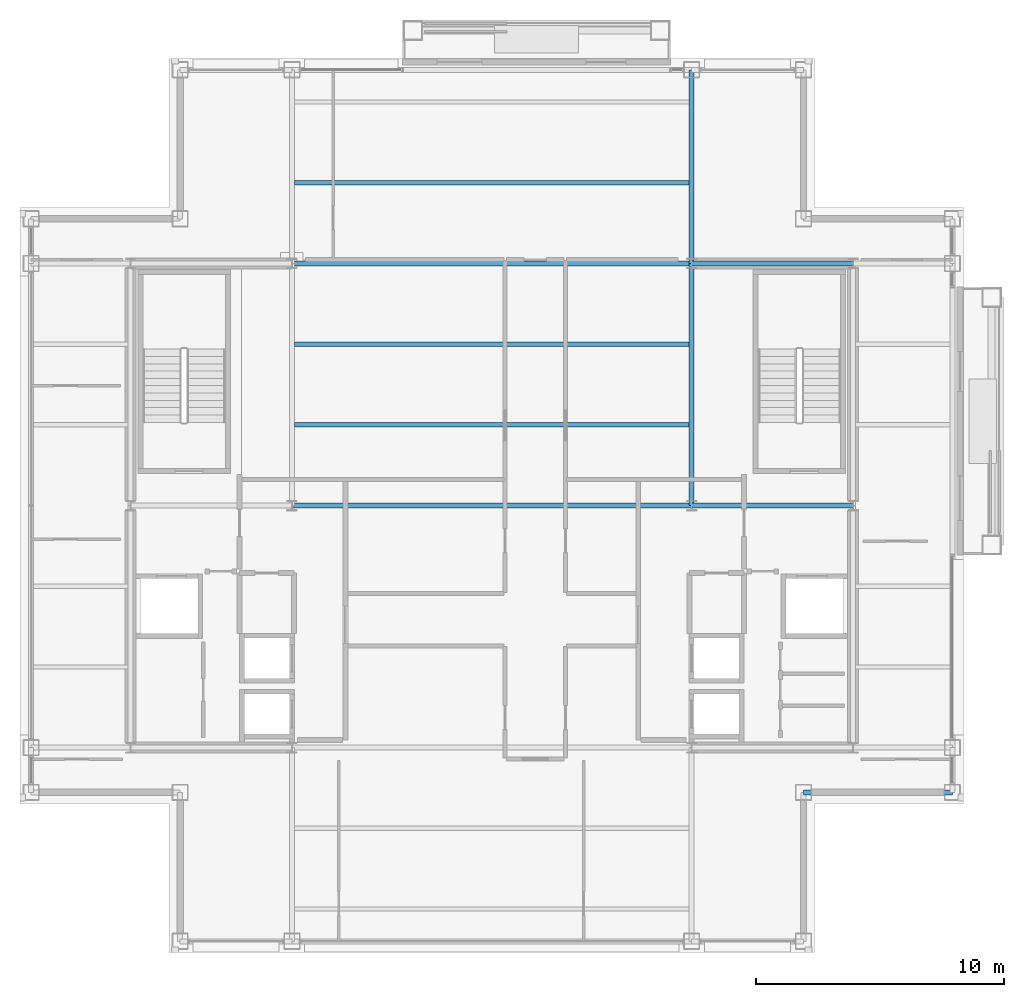
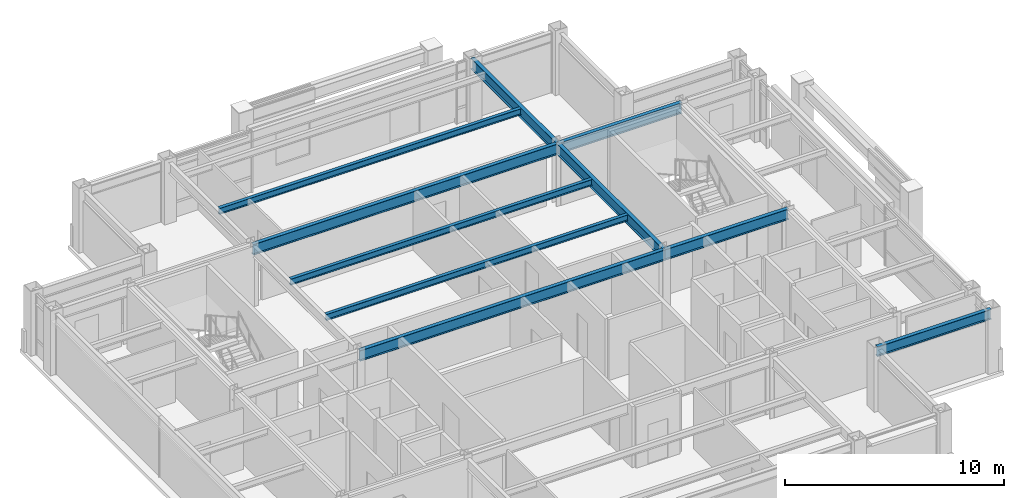
# One storey, part 10 of 24: 10 beams.
"""IFC4 building model written with IfcOpenShell, lengths in metres."""

from ifc_helpers import new_model, si_unit, direction, frame, origin, origin_2d, place, context, subcontext, project, spatial, i_section, extrude, material, material_profile, profile_set, type_object, element, save


model = new_model("IFC4")

# Units and contexts
model_context = context("Model", 3, precision=1e-05, world=origin(), true_north=direction((0.0, 1.0)))
body_context = subcontext(model_context, "Body", "Model", "MODEL_VIEW")
ifc_project = project(units=[si_unit("LENGTHUNIT", "METRE"), si_unit("AREAUNIT", "SQUARE_METRE"), si_unit("VOLUMEUNIT", "CUBIC_METRE"), si_unit("PLANEANGLEUNIT", "RADIAN"), si_unit("MASSUNIT", "GRAM", prefix="KILO")], contexts=[model_context])

# Site, building, storey
site_placement = place(None, origin())
site = spatial("IfcSite", under=ifc_project, at=site_placement, CompositionType="ELEMENT")
building_placement = place(site_placement, origin())
building = spatial("IfcBuilding", under=site, at=building_placement, Name="Brelmoor Portico Tower", CompositionType="ELEMENT")
storey_placement = place(building_placement, frame((0.0, 0.0, 240.0)))
storey = spatial("IfcBuildingStorey", under=building, at=storey_placement, Name="L63", CompositionType="ELEMENT", Elevation=240.0)

# Beams
ifc_material = material(Name="Steel Q355B", Category="steel")
ifc_material_profile_1 = material_profile(ifc_material, i_section(OverallWidth=0.175048828125, OverallDepth=0.35009765625, WebThickness=0.007080078125, FlangeThickness=0.010986328125, at=origin_2d()), Name="HN 350x175x7x11")
ifc_profile_set_1 = profile_set([ifc_material_profile_1], Name="Steel Q355B")
beam_type_1 = type_object("IfcBeamType", Name="BM-JS-350", PredefinedType="JOIST", material=ifc_profile_set_1)
for number, where, z_axis, x_axis, name in (
    (1, (-7.949951171875, 3.25, 3.22509765625), (1.0, 0.0, 0.0), (0.0, 1.0, 0.0), "L63 Secondary Composite Joist JS-C03"),
    (2, (-7.949951171875, 6.5, 3.22509765625), (1.0, 0.0, 0.0), (0.0, 1.0, 0.0), "L63 Secondary Composite Joist JS-C04"),
    (3, (-7.949951171875, 13.0, 3.22509765625), (1.0, 0.0, 0.0), (0.0, 1.0, 0.0), "L63 Secondary Composite Joist JS-C05"),
):
    element("IfcBeam", number, at=place(storey_placement, frame(where, z_axis=z_axis, x_axis=x_axis)), inside=storey, type_object=beam_type_1, Name=name, PredefinedType="JOIST", context=body_context, shape_type="SweptSolid", body=[
        extrude(i_section(OverallWidth=0.175048828125, OverallDepth=0.35009765625, WebThickness=0.007080078125, FlangeThickness=0.010986328125, at=origin_2d()), origin(), (0.0, 0.0, 1.0), 15.89990234375),
    ])
ifc_material_profile_2 = material_profile(ifc_material, i_section(OverallWidth=0.199951171875, OverallDepth=0.60009765625, WebThickness=0.010986328125, FlangeThickness=0.01708984375, at=origin_2d()), Name="HN 600x200x11x17")
ifc_profile_set_2 = profile_set([ifc_material_profile_2], Name="Steel Q355B")
beam_type_2 = type_object("IfcBeamType", Name="BM-PG-600", PredefinedType="BEAM", material=ifc_profile_set_2)
beam_1_placement = place(storey_placement, frame((8.050048828125, 0.0, 3.10009765625), z_axis=(0.0, 1.0, 0.0), x_axis=(-1.0, 0.0, 0.0)))
element("IfcBeam", 4, at=beam_1_placement, inside=storey, type_object=beam_type_2, Name="L63 Primary Floor Girder PG-07", PredefinedType="BEAM", context=body_context, shape_type="SweptSolid", body=[
    extrude(i_section(OverallWidth=0.199951171875, OverallDepth=0.60009765625, WebThickness=0.010986328125, FlangeThickness=0.01708984375, at=origin_2d()), origin(), (0.0, 0.0, 1.0), 9.75),
])
beam_2_placement = place(storey_placement, frame((8.050048828125, 9.75, 3.10009765625), z_axis=(0.0, 1.0, 0.0), x_axis=(-1.0, 0.0, 0.0)))
element("IfcBeam", 5, at=beam_2_placement, inside=storey, type_object=beam_type_2, Name="L63 Primary Floor Girder PG-08", PredefinedType="BEAM", context=body_context, shape_type="SweptSolid", body=[
    extrude(i_section(OverallWidth=0.199951171875, OverallDepth=0.60009765625, WebThickness=0.010986328125, FlangeThickness=0.01708984375, at=origin_2d()), origin(), (0.0, 0.0, 1.0), 7.800048828125),
])
beam_3_placement = place(storey_placement, frame((-8.050048828125, 0.0, 3.10009765625), z_axis=(1.0, 0.0, 0.0), x_axis=(0.0, 1.0, 0.0)))
element("IfcBeam", 6, at=beam_3_placement, inside=storey, type_object=beam_type_2, Name="L63 Primary Floor Girder PG-17", PredefinedType="BEAM", context=body_context, shape_type="SweptSolid", body=[
    extrude(i_section(OverallWidth=0.199951171875, OverallDepth=0.60009765625, WebThickness=0.010986328125, FlangeThickness=0.01708984375, at=origin_2d()), origin(), (0.0, 0.0, 1.0), 16.10009765625),
])
beam_4_placement = place(storey_placement, frame((8.050048828125, 0.0, 3.10009765625), z_axis=(1.0, 0.0, 0.0), x_axis=(0.0, 1.0, 0.0)))
element("IfcBeam", 7, at=beam_4_placement, inside=storey, type_object=beam_type_2, Name="L63 Primary Floor Girder PG-18", PredefinedType="BEAM", context=body_context, shape_type="SweptSolid", body=[
    extrude(i_section(OverallWidth=0.199951171875, OverallDepth=0.60009765625, WebThickness=0.010986328125, FlangeThickness=0.01708984375, at=origin_2d()), origin(), (0.0, 0.0, 1.0), 6.5),
])
beam_5_placement = place(storey_placement, frame((-8.050048828125, 9.75, 3.10009765625), z_axis=(1.0, 0.0, 0.0), x_axis=(0.0, 1.0, 0.0)))
element("IfcBeam", 8, at=beam_5_placement, inside=storey, type_object=beam_type_2, Name="L63 Primary Floor Girder PG-21", PredefinedType="BEAM", context=body_context, shape_type="SweptSolid", body=[
    extrude(i_section(OverallWidth=0.199951171875, OverallDepth=0.60009765625, WebThickness=0.010986328125, FlangeThickness=0.01708984375, at=origin_2d()), origin(), (0.0, 0.0, 1.0), 16.10009765625),
])
beam_6_placement = place(storey_placement, frame((8.050048828125, 9.75, 3.10009765625), z_axis=(1.0, 0.0, 0.0), x_axis=(0.0, 1.0, 0.0)))
element("IfcBeam", 9, at=beam_6_placement, inside=storey, type_object=beam_type_2, Name="L63 Primary Floor Girder PG-22", PredefinedType="BEAM", context=body_context, shape_type="SweptSolid", body=[
    extrude(i_section(OverallWidth=0.199951171875, OverallDepth=0.60009765625, WebThickness=0.010986328125, FlangeThickness=0.01708984375, at=origin_2d()), origin(), (0.0, 0.0, 1.0), 6.5),
])
ifc_material_profile_3 = material_profile(ifc_material, i_section(OverallWidth=0.199951171875, OverallDepth=0.550048828125, WebThickness=0.010009765625, FlangeThickness=0.01611328125, at=origin_2d()), Name="HN 550x200x10x16")
ifc_profile_set_3 = profile_set([ifc_material_profile_3], Name="Steel Q355B")
beam_type_3 = type_object("IfcBeamType", Name="BM-SP-550", PredefinedType="SPANDREL", material=ifc_profile_set_3)
beam_7_placement = place(storey_placement, frame((12.550048828125, -11.550048828125, 3.125), z_axis=(1.0, 0.0, 0.0), x_axis=(0.0, 1.0, 0.0)))
element("IfcBeam", 10, at=beam_7_placement, inside=storey, type_object=beam_type_3, Name="L63 Perimeter Spandrel Beam SP-05", PredefinedType="SPANDREL", context=body_context, shape_type="SweptSolid", body=[
    extrude(i_section(OverallWidth=0.199951171875, OverallDepth=0.550048828125, WebThickness=0.010009765625, FlangeThickness=0.01611328125, at=origin_2d()), origin(), (0.0, 0.0, 1.0), 6.0),
])

save(model, "model.ifc")
